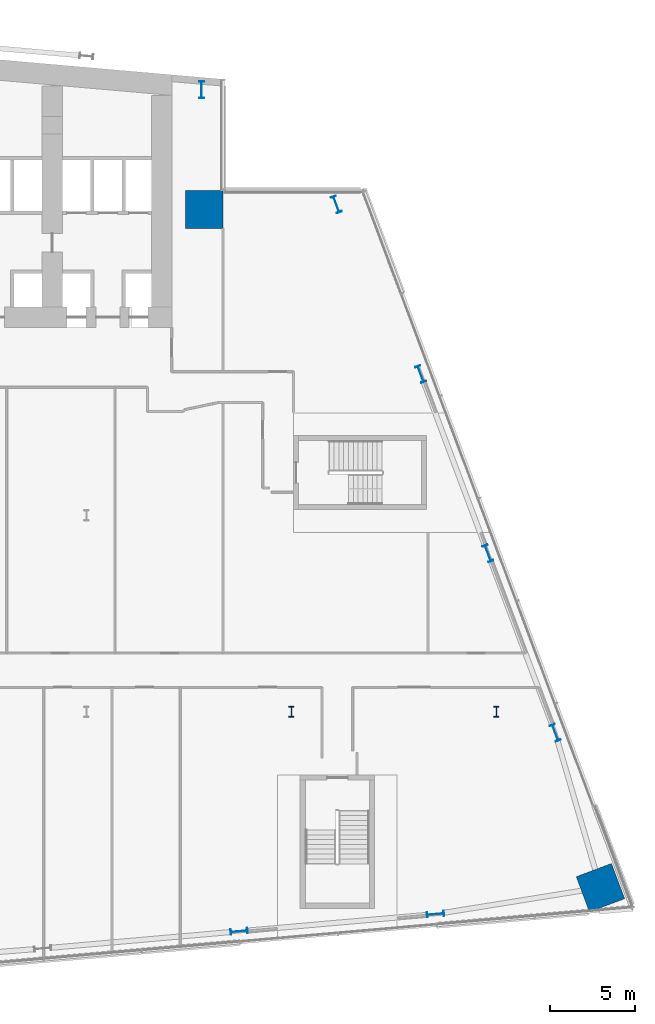
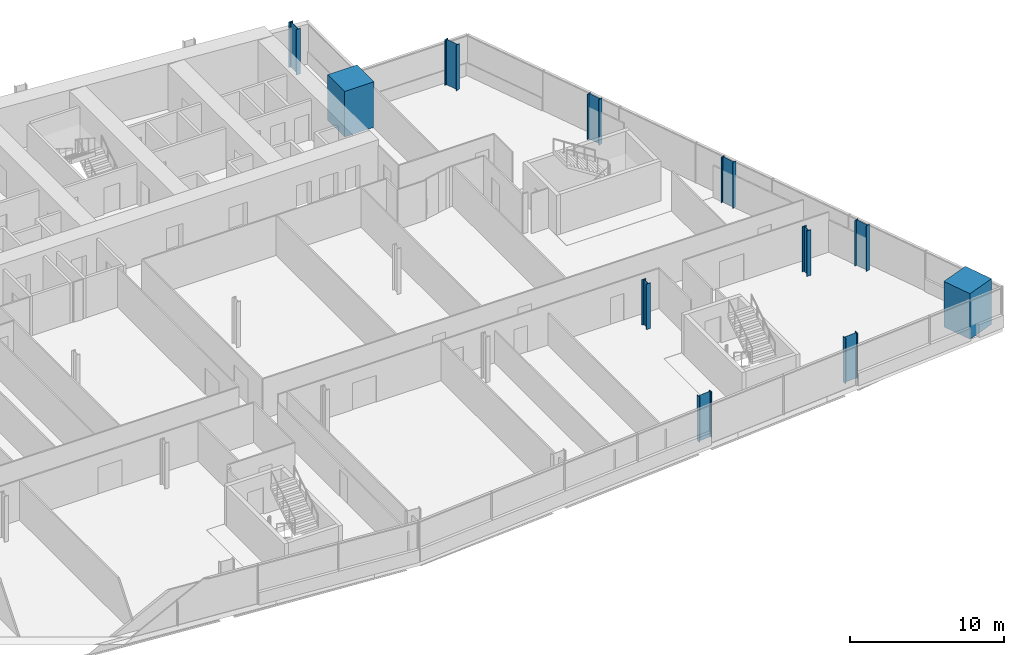
# One storey, part 3 of 24: 11 columns.
"""IFC4 building model written with IfcOpenShell, lengths in metres."""

from ifc_helpers import new_model, si_unit, direction, frame, origin, origin_2d, place, context, subcontext, project, spatial, rectangle, i_section, extrude, material, material_profile, profile_set, type_object, element, save


model = new_model("IFC4")

# Units and contexts
model_context = context("Model", 3, precision=1e-05, world=origin(), true_north=direction((0.0, 1.0)))
body_context = subcontext(model_context, "Body", "Model", "MODEL_VIEW")
ifc_project = project(units=[si_unit("LENGTHUNIT", "METRE"), si_unit("AREAUNIT", "SQUARE_METRE"), si_unit("VOLUMEUNIT", "CUBIC_METRE"), si_unit("PLANEANGLEUNIT", "RADIAN"), si_unit("MASSUNIT", "GRAM", prefix="KILO")], contexts=[model_context])

# Site, building, storey
site_placement = place(None, origin())
site = spatial("IfcSite", under=ifc_project, at=site_placement, CompositionType="ELEMENT")
building_placement = place(site_placement, origin())
building = spatial("IfcBuilding", under=site, at=building_placement, Name="Wharfspan Tower", CompositionType="ELEMENT")
storey_placement = place(building_placement, frame((0.0, 0.0, 88.300049)))
storey = spatial("IfcBuildingStorey", under=building, at=storey_placement, Name="L19", CompositionType="ELEMENT", Elevation=88.300049)

# Columns
ifc_material_1 = material(Name="Steel S355J2", Category="steel")
ifc_material_profile_1 = material_profile(ifc_material_1, i_section(OverallWidth=0.302002, OverallDepth=1.008057, WebThickness=0.020996, FlangeThickness=0.040039, FilletRadius=0.030029, at=origin_2d()))
ifc_profile_set_1 = profile_set([ifc_material_profile_1], Name="Steel S355J2")
column_type_1 = type_object("IfcColumnType", Name="Column HEM 1000", PredefinedType="COLUMN", material=ifc_profile_set_1)
for number, where, z_axis, x_axis, name in (
    (1, (68.942383, -1.354736, 0.0), (0.0, 0.0, 1.0), (0.087156, -0.996198, 0.0), "Perimeter column PS2.2 L19"),
    (2, (80.442383, -0.348633, 0.0), (0.0, 0.0, 1.0), (0.087156, -0.996198, 0.0), "Perimeter column PS2.3 L19"),
    (3, (87.44458, 10.268311, 0.0), (0.0, 0.0, 1.0), (0.936328, 0.351123, 0.0), "Perimeter column PE.1 L19"),
    (4, (83.50708, 20.768311, 0.0), (0.0, 0.0, 1.0), (0.936328, 0.351123, 0.0), "Perimeter column PE.2 L19"),
    (5, (79.56958, 31.268311, 0.0), (0.0, 0.0, 1.0), (0.936328, 0.351123, 0.0), "Perimeter column PE.3 L19"),
    (6, (74.634277, 41.196289, 0.0), (0.0, 0.0, 1.0), (0.936328, 0.351123, 0.0), "Perimeter column PE.4 L19"),
    (7, (66.747803, 47.915283, 0.0), (0.0, 0.0, 1.0), (1.0, 0.0, 0.0), "Perimeter column PNRE-V.1 L19"),
):
    element("IfcColumn", number, at=place(storey_placement, frame(where, z_axis=z_axis, x_axis=x_axis)), inside=storey, type_object=column_type_1, Name=name, PredefinedType="COLUMN", context=body_context, shape_type="SweptSolid", body=[
        extrude(i_section(OverallWidth=0.302002, OverallDepth=1.008057, WebThickness=0.020996, FlangeThickness=0.040039, FilletRadius=0.030029, at=origin_2d()), origin(), (0.0, 0.0, 1.0), 3.599854),
    ])
ifc_material_profile_2 = material_profile(ifc_material_1, i_section(OverallWidth=0.304932, OverallDepth=0.620117, WebThickness=0.020996, FlangeThickness=0.040039, FilletRadius=0.0271, at=origin_2d()))
ifc_profile_set_2 = profile_set([ifc_material_profile_2], Name="Steel S355J2")
column_type_2 = type_object("IfcColumnType", Name="Column HEM 600", PredefinedType="COLUMN", material=ifc_profile_set_2)
for number, where, z_axis, x_axis, name in (
    (8, (72.0, 11.5, 0.0), (0.0, 0.0, 1.0), (1.0, 0.0, 0.0), "Interior column I.1.6 L19"),
    (9, (84.0, 11.5, 0.0), (0.0, 0.0, 1.0), (1.0, 0.0, 0.0), "Interior column I.1.7 L19"),
):
    element("IfcColumn", number, at=place(storey_placement, frame(where, z_axis=z_axis, x_axis=x_axis)), inside=storey, type_object=column_type_2, Name=name, PredefinedType="COLUMN", context=body_context, shape_type="SweptSolid", body=[
        extrude(i_section(OverallWidth=0.304932, OverallDepth=0.620117, WebThickness=0.020996, FlangeThickness=0.040039, FilletRadius=0.0271, at=origin_2d()), origin(), (0.0, 0.0, 1.0), 3.599854),
    ])
ifc_material_2 = material(Name="Concrete C70/85", Category="concrete")
ifc_material_profile_3 = material_profile(ifc_material_2, rectangle(XDim=2.199951, YDim=2.199951, at=origin_2d()))
ifc_profile_set_3 = profile_set([ifc_material_profile_3], Name="Concrete C70/85")
column_type_3 = type_object("IfcColumnType", Name="Mega column 2200 C70/85", PredefinedType="COLUMN", material=ifc_profile_set_3)
for number, where, z_axis, x_axis, name in (
    (10, (66.899902, 40.899902, 0.0), (0.0, 0.0, 1.0), (1.0, 0.0, 0.0), "Mega column MC3 L19"),
    (11, (90.096436, 1.199707, 0.0), (0.0, 0.0, 1.0), (-0.351123, 0.936328, 0.0), "Mega column MC4 L19"),
):
    element("IfcColumn", number, at=place(storey_placement, frame(where, z_axis=z_axis, x_axis=x_axis)), inside=storey, type_object=column_type_3, Name=name, PredefinedType="COLUMN", context=body_context, shape_type="SweptSolid", body=[
        extrude(rectangle(XDim=2.199951, YDim=2.199951, at=origin_2d()), origin(), (0.0, 0.0, 1.0), 3.599854),
    ])

save(model, "model.ifc")
